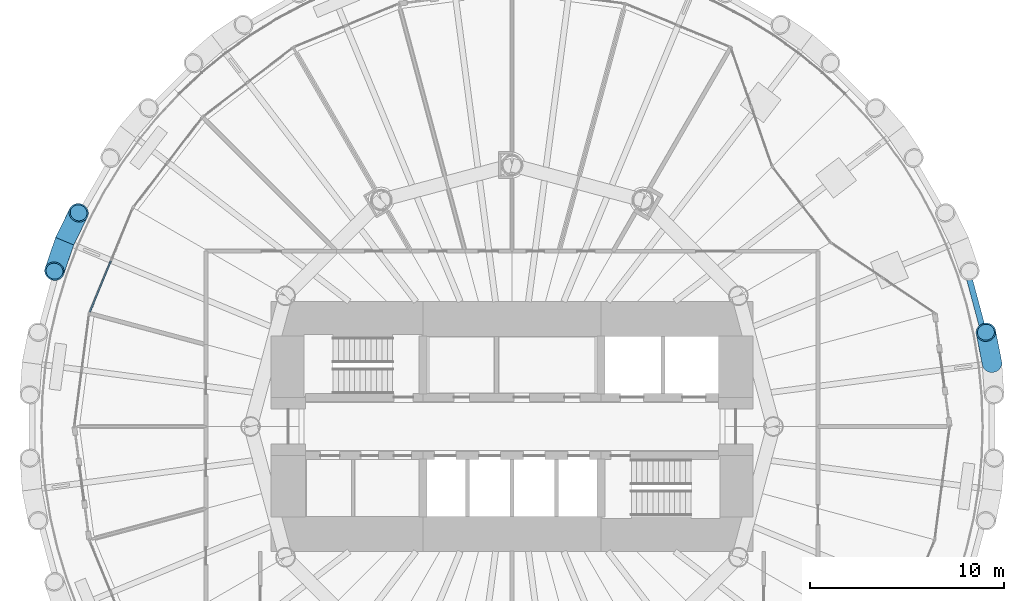
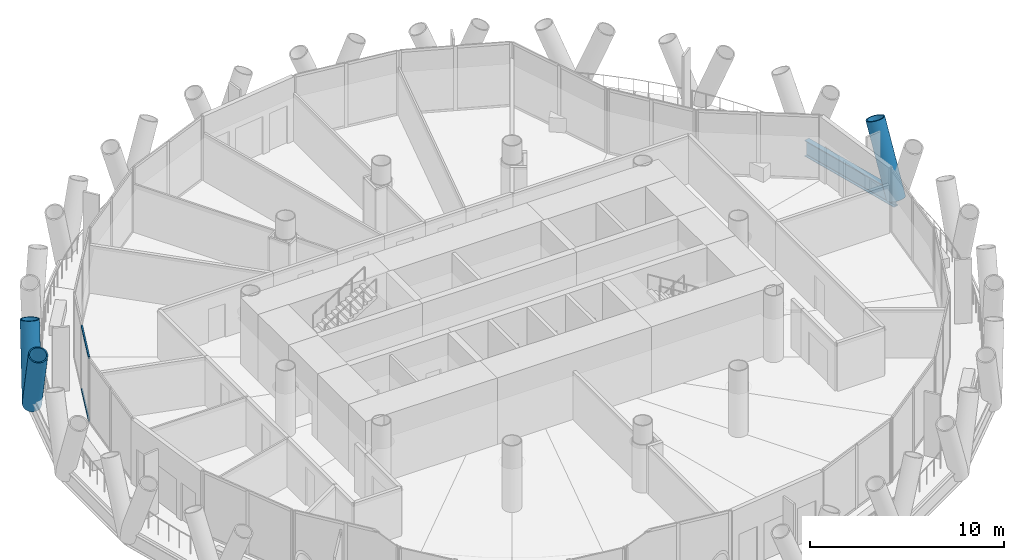
# One storey, part 5 of 16: 5 members, 1 beam, 1 element without a shape of its own.
"""IFC4 building model written with IfcOpenShell, lengths in metres."""

from ifc_helpers import new_model, si_unit, direction, frame, origin, origin_2d, place, context, subcontext, project, spatial, rectangle, hollow_circle, i_section, extrude, material, material_profile, profile_set, type_object, element, aggregate, save


model = new_model("IFC4")

# Units and contexts
model_context = context("Model", 3, precision=1e-05, world=origin(), true_north=direction((0.0, 1.0)))
body_context = subcontext(model_context, "Body", "Model", "MODEL_VIEW")
ifc_project = project(units=[si_unit("LENGTHUNIT", "METRE"), si_unit("AREAUNIT", "SQUARE_METRE"), si_unit("VOLUMEUNIT", "CUBIC_METRE"), si_unit("PLANEANGLEUNIT", "RADIAN"), si_unit("MASSUNIT", "GRAM", prefix="KILO")], contexts=[model_context])

# Site, building, storey
site_placement = place(None, origin())
site = spatial("IfcSite", under=ifc_project, at=site_placement, CompositionType="ELEMENT")
building_placement = place(site_placement, origin())
building = spatial("IfcBuilding", under=site, at=building_placement, Name="Qaws Media Tower", CompositionType="ELEMENT")
storey_placement = place(building_placement, frame((0.0, 0.0, 135.199951171875)))
storey = spatial("IfcBuildingStorey", under=building, at=storey_placement, Name="L30", CompositionType="ELEMENT", Elevation=135.199951171875)

# Curtain wall, members
ifc_material_1 = material(Name="Aluminium and clear glass", Category="aluminium")
curtain_wall_type = type_object("IfcCurtainWallType", Name="Unitised curtain wall CW-B", PredefinedType="NOTDEFINED", material=ifc_material_1)
curtain_wall_placement = place(storey_placement, origin())
curtain_wall = element("IfcCurtainWall", 1, at=curtain_wall_placement, inside=storey, type_object=curtain_wall_type, Name="CWB curtain wall L30-11", PredefinedType="NOTDEFINED")
ifc_material_2 = material(Name="Aluminium transom", Category="aluminium")
ifc_material_profile_1 = material_profile(ifc_material_2, rectangle(XDim=0.080078125, YDim=0.159912109375, at=origin_2d()), Name="80x160")
ifc_profile_set_1 = profile_set([ifc_material_profile_1], Name="Aluminium transom")
member_type_1 = type_object("IfcMemberType", Name="Curtain wall transom 80x160", PredefinedType="USERDEFINED", material=ifc_profile_set_1)
member_1_placement = place(storey_placement, frame((39.28369140625, 58.53759765625, 0.0400390625), z_axis=(-0.382727703944, -0.92386119338, 0.0), x_axis=(0.92386119338, -0.382727703944, 0.0)))
member_1 = element("IfcMember", 2, at=member_1_placement, type_object=member_type_1, Name="CWB transom 2.1", ObjectType="TRANSOM", PredefinedType="USERDEFINED", context=body_context, shape_type="SweptSolid", body=[
    extrude(rectangle(XDim=0.080078125, YDim=0.159912109375, at=origin_2d()), origin(), (0.0, 0.0, 1.0), 2.82958984375),
])
member_2_placement = place(storey_placement, frame((39.28369140625, 58.53759765625, 4.0), z_axis=(-0.382727703944, -0.92386119338, 0.0), x_axis=(0.92386119338, -0.382727703944, 0.0)))
member_2 = element("IfcMember", 3, at=member_2_placement, type_object=member_type_1, Name="CWB transom 2.2", ObjectType="TRANSOM", PredefinedType="USERDEFINED", context=body_context, shape_type="SweptSolid", body=[
    extrude(rectangle(XDim=0.080078125, YDim=0.159912109375, at=origin_2d()), origin(), (0.0, 0.0, 1.0), 2.82958984375),
])
aggregate(curtain_wall, [member_1, member_2])

# Members
ifc_material_3 = material(Name="Steel S460", Category="steel")
ifc_material_profile_2 = material_profile(ifc_material_3, hollow_circle(Radius=0.508056640625, WallThickness=0.070068359375, at=origin_2d()), Name="CHS 1016x70")
ifc_profile_set_2 = profile_set([ifc_material_profile_2], Name="Steel S460")
member_type_2 = type_object("IfcMemberType", Name="Diagrid member CHS 1016x70", PredefinedType="USERDEFINED", material=ifc_profile_set_2)
member_3_placement = place(storey_placement, frame((84.7861328125, 53.26318359375, -0.6640625), z_axis=(-0.069983690756, 0.355930984487, 0.931888092697), x_axis=(-0.981212996823, -0.192927589696, 0.0)))
element("IfcMember", 4, at=member_3_placement, inside=storey, type_object=member_type_2, Name="DG3 diagrid L30 A01", ObjectType="DIAGRID", PredefinedType="USERDEFINED", context=body_context, shape_type="SweptSolid", body=[
    extrude(hollow_circle(Radius=0.508056640625, WallThickness=0.070068359375, at=origin_2d()), origin(), (0.0, 0.0, 1.0), 4.507080078125),
])
for number, where, z_axis, x_axis, name in (
    (5, (36.903076171875, 59.567138671875, -0.6640625), (-0.117378706623, -0.343252821351, 0.931879681003), (0.946206096041, -0.323564558959, 0.0), "DG3 diagrid L30 A11"),
    (6, (36.903076171875, 59.567138671875, -0.6640625), (0.159737035163, 0.325703218866, 0.931880621548), (-0.897835078341, 0.440331888579, 0.0), "DG3 diagrid L30 B11"),
):
    element("IfcMember", number, at=place(storey_placement, frame(where, z_axis=z_axis, x_axis=x_axis)), inside=storey, type_object=member_type_2, Name=name, ObjectType="DIAGRID", PredefinedType="USERDEFINED", context=body_context, shape_type="SweptSolid", body=[
        extrude(hollow_circle(Radius=0.508056640625, WallThickness=0.070068359375, at=origin_2d()), origin(), (0.0, 0.0, 1.0), 4.50732421875),
    ])

# Beam
ifc_material_4 = material(Name="Steel S460", Category="steel")
ifc_material_profile_3 = material_profile(ifc_material_4, i_section(OverallWidth=0.302001953125, OverallDepth=1.008056640625, WebThickness=0.02099609375, FlangeThickness=0.0400390625, FilletRadius=0.030029296875, at=origin_2d()), Name="HE 1000 M")
ifc_profile_set_3 = profile_set([ifc_material_profile_3], Name="Steel S460")
beam_type = type_object("IfcBeamType", Name="Edge ring beam HE 1000 M", PredefinedType="BEAM", material=ifc_profile_set_3)
beam_placement = place(storey_placement, frame((84.7861328125, 53.26318359375, -0.6640625), z_axis=(-0.258828953999, 0.965923171154, 0.0), x_axis=(-0.965923171154, -0.258828953999, 0.0)))
element("IfcBeam", 7, at=beam_placement, inside=storey, type_object=beam_type, Name="RB3 edge ring beam L30-01", PredefinedType="BEAM", context=body_context, shape_type="SweptSolid", body=[
    extrude(i_section(OverallWidth=0.302001953125, OverallDepth=1.008056640625, WebThickness=0.02099609375, FlangeThickness=0.0400390625, FilletRadius=0.030029296875, at=origin_2d()), origin(), (0.0, 0.0, 1.0), 6.5263671875),
])

save(model, "model.ifc")
